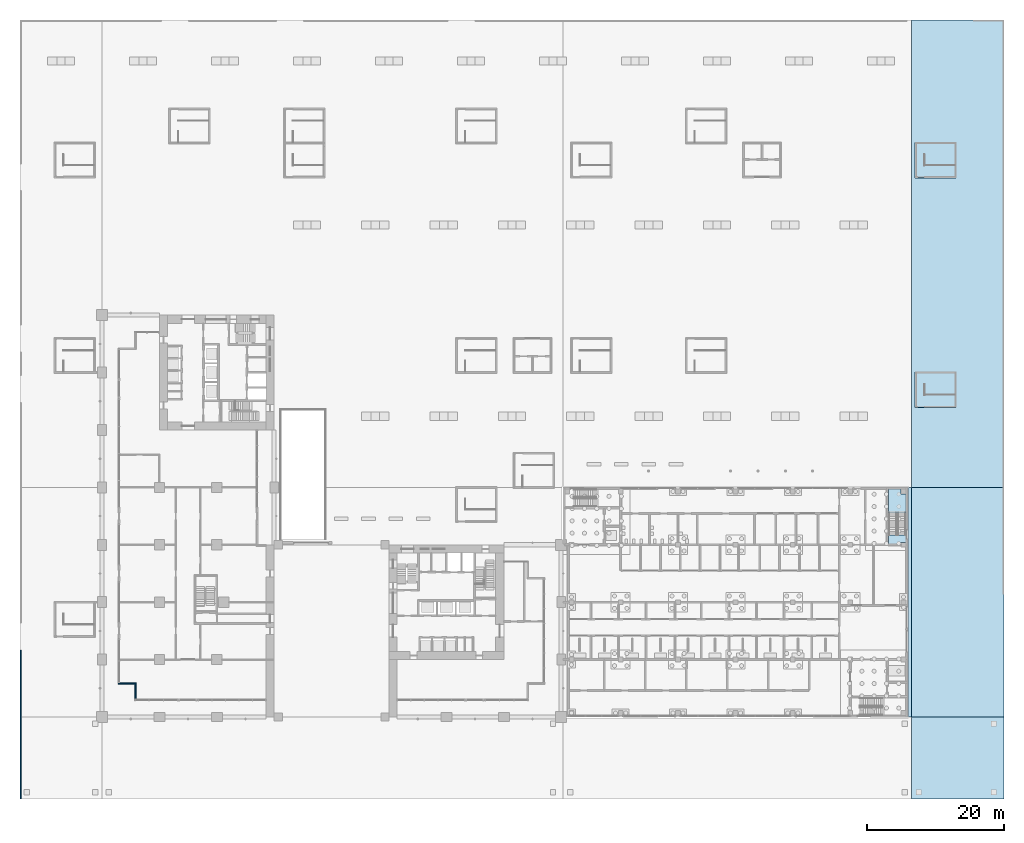
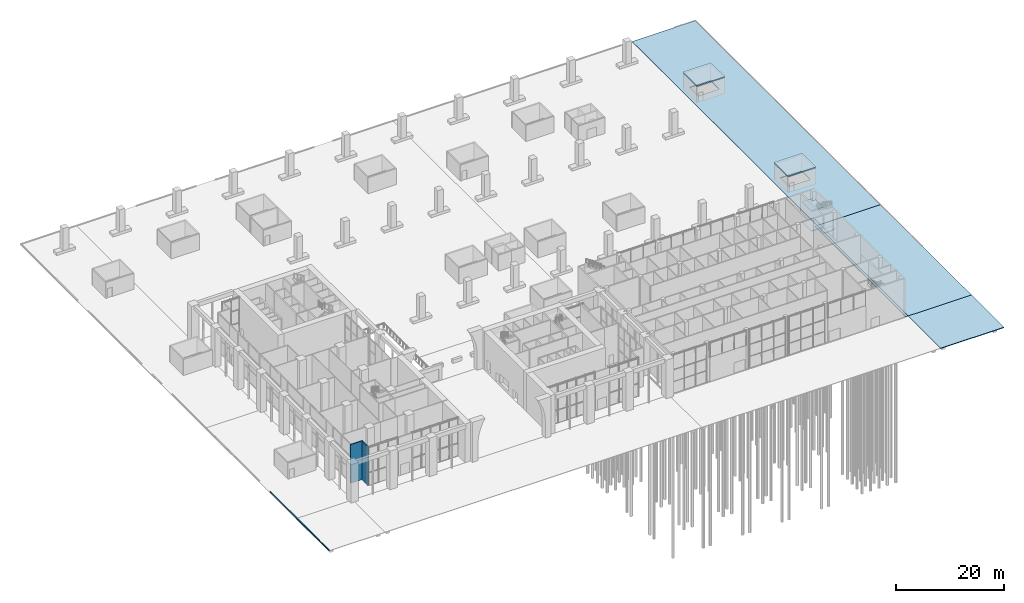
# One storey, part 18 of 46: 9 slabs, 3 walls, 1 element without a shape of its own.
"""IFC4 building model written with IfcOpenShell, lengths in metres."""

from ifc_helpers import new_model, si_unit, direction, frame, frame_2d, origin, place, context, subcontext, project, spatial, polyline, rectangle, outline, extrude, material, layer, layer_set, type_object, element, aggregate, save


model = new_model("IFC4")

# Units and contexts
model_context = context("Model", 3, precision=1e-05, world=origin(), true_north=direction((0.0, 1.0)))
body_context = subcontext(model_context, "Body", "Model", "MODEL_VIEW")
ifc_project = project(units=[si_unit("LENGTHUNIT", "METRE"), si_unit("AREAUNIT", "SQUARE_METRE"), si_unit("VOLUMEUNIT", "CUBIC_METRE"), si_unit("PLANEANGLEUNIT", "RADIAN"), si_unit("MASSUNIT", "GRAM", prefix="KILO")], contexts=[model_context])

# Site, building, storey
site_placement = place(None, origin())
site = spatial("IfcSite", under=ifc_project, at=site_placement, CompositionType="ELEMENT")
building_placement = place(site_placement, origin())
building = spatial("IfcBuilding", under=site, at=building_placement, Name="Vermilion Gate Residences", CompositionType="ELEMENT")
storey_placement = place(building_placement, origin())
storey = spatial("IfcBuildingStorey", under=building, at=storey_placement, Name="L00", CompositionType="ELEMENT", Elevation=0.0)

# Slabs
ifc_material_1 = material(Name="Concrete C30", Category="concrete")
ifc_layer_1 = layer(ifc_material_1, 0.25)
ifc_layer_set_1 = layer_set([ifc_layer_1], Name="HOUSE ROOF 250 (AMENITY)")
slab_type_1 = type_object("IfcSlabType", Name="HOUSE ROOF 250 (AMENITY)", PredefinedType="ROOF", material=ifc_layer_set_1)
slab_1_placement = place(storey_placement, frame((0.0, 0.0, 3.60009765625)))
element("IfcSlab", 1, at=slab_1_placement, inside=storey, type_object=slab_type_1, Name="House roof 5", PredefinedType="ROOF", context=body_context, shape_type="SweptSolid", body=[
    extrude(outline(polyline([(119.0, 45.300048828125), (119.0, 50.5), (125.0, 50.5), (125.0, 45.300048828125), (119.0, 45.300048828125)])), origin(), (0.0, 0.0, 1.0), 0.25),
])
slab_2_placement = place(storey_placement, frame((0.0, 0.0, 3.60009765625)))
element("IfcSlab", 2, at=slab_2_placement, inside=storey, type_object=slab_type_1, Name="House roof 13", PredefinedType="ROOF", context=body_context, shape_type="SweptSolid", body=[
    extrude(outline(polyline([(119.0, 78.89990234375), (119.0, 84.10009765625), (125.0, 84.10009765625), (125.0, 78.89990234375), (119.0, 78.89990234375)])), origin(), (0.0, 0.0, 1.0), 0.25),
])
ifc_material_2 = material(Name="Concrete C35", Category="concrete")
ifc_layer_2 = layer(ifc_material_2, 0.14990234375)
ifc_layer_set_2 = layer_set([ifc_layer_2], Name="PLAZA PAVING 150 C35 (MARKET HALL)")
slab_type_2 = type_object("IfcSlabType", Name="PLAZA PAVING 150 C35 (MARKET HALL)", PredefinedType="USERDEFINED", material=ifc_layer_set_2)
slab_3_placement = place(storey_placement, frame((0.0, 0.0, -0.14990234375)))
element("IfcSlab", 3, at=slab_3_placement, inside=storey, type_object=slab_type_2, Name="Plaza paving 4 (south-east street apron)", ObjectType="PAVING", PredefinedType="USERDEFINED", context=body_context, shape_type="SweptSolid", body=[
    extrude(outline(polyline([(132.0, -12.0), (132.0, 0.0), (118.5, 0.0), (118.5, -12.0), (132.0, -12.0)])), origin(), (0.0, 0.0, 1.0), 0.14990234375),
])
slab_4_placement = place(storey_placement, frame((0.0, 0.0, -0.14990234375)))
element("IfcSlab", 4, at=slab_4_placement, inside=storey, type_object=slab_type_2, Name="Plaza paving 8 (hall east approach)", ObjectType="PAVING", PredefinedType="USERDEFINED", context=body_context, shape_type="SweptSolid", body=[
    extrude(outline(polyline([(118.050048828125, 33.60009765625), (118.050048828125, 0.0), (118.5, 0.0), (118.5, 33.60009765625), (118.050048828125, 33.60009765625)])), origin(), (0.0, 0.0, 1.0), 0.14990234375),
])
slab_5_placement = place(storey_placement, frame((0.0, 0.0, -0.14990234375)))
element("IfcSlab", 5, at=slab_5_placement, inside=storey, type_object=slab_type_2, Name="Plaza paving 9 (east loading apron paving)", ObjectType="PAVING", PredefinedType="USERDEFINED", context=body_context, shape_type="SweptSolid", body=[
    extrude(outline(polyline([(132.0, 0.0), (132.0, 33.60009765625), (118.5, 33.60009765625), (118.5, 0.0), (132.0, 0.0)])), origin(), (0.0, 0.0, 1.0), 0.14990234375),
])
slab_6_placement = place(storey_placement, frame((0.0, 0.0, -0.14990234375)))
element("IfcSlab", 6, at=slab_6_placement, inside=storey, type_object=slab_type_2, Name="Plaza paving 13 (north-east corner plaza)", ObjectType="PAVING", PredefinedType="USERDEFINED", context=body_context, shape_type="SweptSolid", body=[
    extrude(outline(polyline([(132.0, 102.0), (118.5, 102.0), (118.5, 33.60009765625), (132.0, 33.60009765625), (132.0, 102.0)]), holes=[polyline([(120.300048828125, 50.300048828125), (124.800048828125, 50.300048828125), (124.800048828125, 47.10009765625), (120.300048828125, 47.10009765625), (120.300048828125, 50.300048828125)]), polyline([(120.300048828125, 83.89990234375), (124.800048828125, 83.89990234375), (124.800048828125, 80.699951171875), (120.300048828125, 80.699951171875), (120.300048828125, 83.89990234375)])]), origin(), (0.0, 0.0, 1.0), 0.14990234375),
])

# Stair, slabs
ifc_material_3 = material(Name="Concrete C35", Category="concrete")
stair_type = type_object("IfcStairType", Name="RC STAIR 1200 (MARKET HALL)", PredefinedType="HALF_TURN_STAIR", material=ifc_material_3)
stair_placement = place(storey_placement, origin())
stair = element("IfcStair", 7, at=stair_placement, inside=storey, type_object=stair_type, Name="Stair STH3-00", PredefinedType="HALF_TURN_STAIR")
ifc_material_4 = material(Name="Concrete C35", Category="concrete")
ifc_layer_3 = layer(ifc_material_4, 0.199951171875)
ifc_layer_set_3 = layer_set([ifc_layer_3], Name="STAIR LANDING 200 C35 (MARKET HALL)")
slab_type_3 = type_object("IfcSlabType", Name="STAIR LANDING 200 C35 (MARKET HALL)", PredefinedType="LANDING", material=ifc_layer_set_3)
slab_7_placement = place(storey_placement, frame((0.0, 0.0, 2.050048828125)))
slab_7 = element("IfcSlab", 8, at=slab_7_placement, type_object=slab_type_3, Name="STH3-00 landing 1", PredefinedType="LANDING", context=body_context, shape_type="SweptSolid", body=[
    extrude(outline(polyline([(117.64990234375, 33.360107421875), (115.10009765625, 33.360107421875), (115.10009765625, 29.864990234375), (117.64990234375, 29.864990234375), (117.64990234375, 32.64990234375), (116.949951171875, 32.64990234375), (116.949951171875, 33.35009765625), (117.64990234375, 33.35009765625), (117.64990234375, 33.360107421875)])), origin(), (0.0, 0.0, 1.0), 0.199951171875),
])
slab_8_placement = place(storey_placement, frame((0.0, 0.0, 4.300048828125)))
slab_8 = element("IfcSlab", 9, at=slab_8_placement, type_object=slab_type_3, Name="STH3-00 landing 2", PredefinedType="LANDING", context=body_context, shape_type="SweptSolid", body=[
    extrude(outline(polyline([(117.64990234375, 26.625), (115.10009765625, 26.625), (115.10009765625, 25.31494140625), (116.949951171875, 25.31494140625), (116.949951171875, 25.550048828125), (117.64990234375, 25.550048828125), (117.64990234375, 26.625)])), origin(), (0.0, 0.0, 1.0), 0.199951171875),
])
slab_9_placement = place(storey_placement, frame((0.0, 0.0, 6.550048828125)))
slab_9 = element("IfcSlab", 10, at=slab_9_placement, type_object=slab_type_3, Name="STH3-00 landing 3", PredefinedType="LANDING", context=body_context, shape_type="SweptSolid", body=[
    extrude(outline(polyline([(117.64990234375, 33.360107421875), (115.10009765625, 33.360107421875), (115.10009765625, 29.864990234375), (117.64990234375, 29.864990234375), (117.64990234375, 32.64990234375), (116.949951171875, 32.64990234375), (116.949951171875, 33.35009765625), (117.64990234375, 33.35009765625), (117.64990234375, 33.360107421875)])), origin(), (0.0, 0.0, 1.0), 0.199951171875),
])
aggregate(stair, [slab_7, slab_8, slab_9])

# Walls
ifc_material_5 = material(Name="Insulated steel stud wall with terracotta rainscreen", Category="masonry")
ifc_layer_4 = layer(ifc_material_5, 0.199951171875)
ifc_layer_set_4 = layer_set([ifc_layer_4], Name="EXTERNAL WALL 200 TERRACOTTA RAINSCREEN")
wall_type_1 = type_object("IfcWallType", Name="EXTERNAL WALL 200 TERRACOTTA RAINSCREEN", PredefinedType="SOLIDWALL", material=ifc_layer_set_4)
wall_1_placement = place(storey_placement, frame((2.39990234375, 4.89990234375, 0.0), z_axis=(0.0, 0.0, 1.0), x_axis=(1.0, 0.0, 0.0)))
element("IfcWall", 11, at=wall_1_placement, inside=storey, type_object=wall_type_1, Name="External wall", PredefinedType="SOLIDWALL", context=body_context, shape_type="SweptSolid", body=[
    extrude(rectangle(XDim=2.60009765625, YDim=0.199951171875, at=frame_2d((1.300048828125, 0.0))), origin(), (0.0, 0.0, 1.0), 8.699951171875),
])
wall_2_placement = place(storey_placement, frame((4.89990234375, 4.800048828125, 0.0), z_axis=(0.0, 0.0, 1.0), x_axis=(0.0, -1.0, 0.0)))
element("IfcWall", 12, at=wall_2_placement, inside=storey, type_object=wall_type_1, Name="External wall", PredefinedType="SOLIDWALL", context=body_context, shape_type="SweptSolid", body=[
    extrude(rectangle(XDim=2.199951171875, YDim=0.199951171875, at=frame_2d((1.10009765625, 0.0))), origin(), (0.0, 0.0, 1.0), 8.699951171875),
])
ifc_material_6 = material(Name="Concrete C35", Category="concrete")
ifc_layer_5 = layer(ifc_material_6, 0.14990234375)
ifc_layer_set_5 = layer_set([ifc_layer_5], Name="KERB 150 X 150 C35 (MARKET HALL)")
wall_type_2 = type_object("IfcWallType", Name="KERB 150 X 150 C35 (MARKET HALL)", PredefinedType="SOLIDWALL", material=ifc_layer_set_5)
wall_3_placement = place(storey_placement, frame((-11.905029296875, -11.97998046875, 0.0), z_axis=(0.0, 0.0, 1.0), x_axis=(0.0, 1.0, 0.0)))
element("IfcWall", 13, at=wall_3_placement, inside=storey, type_object=wall_type_2, Name="Kerb west edge 1", PredefinedType="SOLIDWALL", context=body_context, shape_type="SweptSolid", body=[
    extrude(rectangle(XDim=21.780029296875, YDim=0.14990234375, at=frame_2d((10.89013671875, 0.0))), origin(), (0.0, 0.0, 1.0), 0.14990234375),
])

save(model, "model.ifc")
